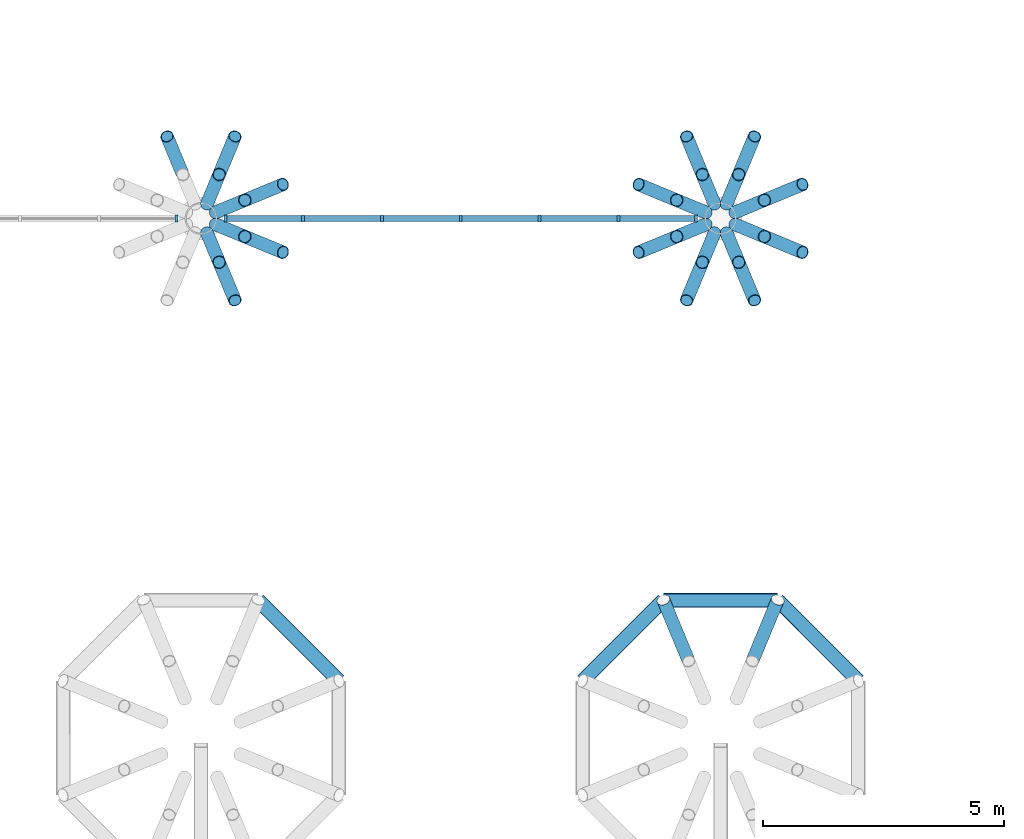
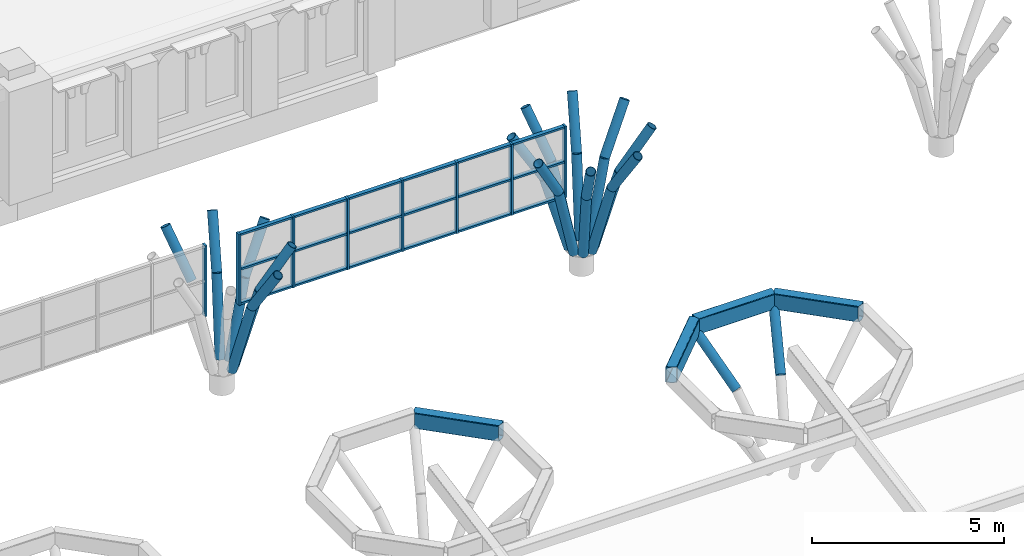
# One storey, part 10 of 42: 53 members, 4 beams, 2 elements without a shape of their own.
"""IFC4 building model written with IfcOpenShell, lengths in metres."""

from ifc_helpers import new_model, si_unit, direction, frame, origin, origin_2d, place, context, subcontext, project, spatial, rectangle, hollow_rectangle, hollow_circle, extrude, clip, halfspace, material, layer, layer_set, material_profile, profile_set, type_object, element, aggregate, save


model = new_model("IFC4")

# Units and contexts
model_context = context("Model", 3, precision=1e-05, world=origin(), true_north=direction((0.0, 1.0)))
body_context = subcontext(model_context, "Body", "Model", "MODEL_VIEW")
ifc_project = project(units=[si_unit("LENGTHUNIT", "METRE"), si_unit("AREAUNIT", "SQUARE_METRE"), si_unit("VOLUMEUNIT", "CUBIC_METRE"), si_unit("PLANEANGLEUNIT", "RADIAN"), si_unit("MASSUNIT", "GRAM", prefix="KILO")], contexts=[model_context])

# Site, building, storey
site_placement = place(None, origin())
site = spatial("IfcSite", under=ifc_project, at=site_placement, CompositionType="ELEMENT")
building_placement = place(site_placement, origin())
building = spatial("IfcBuilding", under=site, at=building_placement, Name="Magnolia Steps Interchange", CompositionType="ELEMENT")
storey_placement = place(building_placement, frame((0.0, 0.0, 12.60009765625)))
storey = spatial("IfcBuildingStorey", under=building, at=storey_placement, Name="L03", CompositionType="ELEMENT", Elevation=12.60009765625)

# Curtain wall, member
ifc_material_1 = material(Name="Powder-coated aluminium and glass", Category="aluminium")
ifc_layer = layer(ifc_material_1, 0.1201171875)
ifc_layer_set = layer_set([ifc_layer], Name="Hall clerestory curtain wall")
curtain_wall_type = type_object("IfcCurtainWallType", Name="Hall clerestory curtain wall", PredefinedType="NOTDEFINED", material=ifc_layer_set)
curtain_wall_1_placement = place(storey_placement, origin())
curtain_wall_1 = element("IfcCurtainWall", 1, at=curtain_wall_1_placement, inside=storey, type_object=curtain_wall_type, Name="Hall clerestory N4", PredefinedType="NOTDEFINED")
ifc_material_2 = material(Name="White powder-coated aluminium", Category="aluminium")
ifc_material_profile_1 = material_profile(ifc_material_2, rectangle(XDim=0.06005859375, YDim=0.14990234375, at=origin_2d()), Name="Aluminium mullion 60 x 150")
ifc_profile_set_1 = profile_set([ifc_material_profile_1], Name="White powder-coated aluminium")
member_type_1 = type_object("IfcMemberType", Name="Aluminium mullion 60 x 150", PredefinedType="MULLION", material=ifc_profile_set_1)
member_1_placement = place(storey_placement, frame((95.889892578125, 85.60009765625, 2.5), z_axis=(0.0, 0.0, 1.0), x_axis=(1.0, 0.0, 0.0)))
member_1 = element("IfcMember", 2, at=member_1_placement, type_object=member_type_1, Name="CW6 mullion 7", PredefinedType="MULLION", context=body_context, shape_type="SweptSolid", body=[
    extrude(rectangle(XDim=0.06005859375, YDim=0.14990234375, at=origin_2d()), origin(), (0.0, 0.0, 1.0), 2.251220703125),
])
aggregate(curtain_wall_1, [member_1])

# Curtain wall, members
curtain_wall_2_placement = place(storey_placement, origin())
curtain_wall_2 = element("IfcCurtainWall", 3, at=curtain_wall_2_placement, inside=storey, type_object=curtain_wall_type, Name="Hall clerestory N5", PredefinedType="NOTDEFINED")
member_2_placement = place(storey_placement, frame((96.909912109375, 85.60009765625, 2.5), z_axis=(0.0, 0.0, 1.0), x_axis=(1.0, 0.0, 0.0)))
member_2 = element("IfcMember", 4, at=member_2_placement, type_object=member_type_1, Name="CW6 mullion 1", PredefinedType="MULLION", context=body_context, shape_type="SweptSolid", body=[
    extrude(rectangle(XDim=0.06005859375, YDim=0.14990234375, at=origin_2d()), origin(), (0.0, 0.0, 1.0), 2.251220703125),
])
member_3_placement = place(storey_placement, frame((98.52001953125, 85.60009765625, 2.5), z_axis=(0.0, 0.0, 1.0), x_axis=(1.0, 0.0, 0.0)))
member_3 = element("IfcMember", 5, at=member_3_placement, type_object=member_type_1, Name="CW6 mullion 2", PredefinedType="MULLION", context=body_context, shape_type="SweptSolid", body=[
    extrude(rectangle(XDim=0.06005859375, YDim=0.14990234375, at=origin_2d()), origin(), (0.0, 0.0, 1.0), 2.251220703125),
])
member_4_placement = place(storey_placement, frame((100.159912109375, 85.60009765625, 2.5), z_axis=(0.0, 0.0, 1.0), x_axis=(1.0, 0.0, 0.0)))
member_4 = element("IfcMember", 6, at=member_4_placement, type_object=member_type_1, Name="CW6 mullion 3", PredefinedType="MULLION", context=body_context, shape_type="SweptSolid", body=[
    extrude(rectangle(XDim=0.06005859375, YDim=0.14990234375, at=origin_2d()), origin(), (0.0, 0.0, 1.0), 2.251220703125),
])
member_5_placement = place(storey_placement, frame((101.800048828125, 85.60009765625, 2.5), z_axis=(0.0, 0.0, 1.0), x_axis=(1.0, 0.0, 0.0)))
member_5 = element("IfcMember", 7, at=member_5_placement, type_object=member_type_1, Name="CW6 mullion 4", PredefinedType="MULLION", context=body_context, shape_type="SweptSolid", body=[
    extrude(rectangle(XDim=0.06005859375, YDim=0.14990234375, at=origin_2d()), origin(), (0.0, 0.0, 1.0), 2.251220703125),
])
member_6_placement = place(storey_placement, frame((103.43994140625, 85.60009765625, 2.5), z_axis=(0.0, 0.0, 1.0), x_axis=(1.0, 0.0, 0.0)))
member_6 = element("IfcMember", 8, at=member_6_placement, type_object=member_type_1, Name="CW6 mullion 5", PredefinedType="MULLION", context=body_context, shape_type="SweptSolid", body=[
    extrude(rectangle(XDim=0.06005859375, YDim=0.14990234375, at=origin_2d()), origin(), (0.0, 0.0, 1.0), 2.251220703125),
])
member_7_placement = place(storey_placement, frame((105.080078125, 85.60009765625, 2.5), z_axis=(0.0, 0.0, 1.0), x_axis=(1.0, 0.0, 0.0)))
member_7 = element("IfcMember", 9, at=member_7_placement, type_object=member_type_1, Name="CW6 mullion 6", PredefinedType="MULLION", context=body_context, shape_type="SweptSolid", body=[
    extrude(rectangle(XDim=0.06005859375, YDim=0.14990234375, at=origin_2d()), origin(), (0.0, 0.0, 1.0), 2.251220703125),
])
member_8_placement = place(storey_placement, frame((106.68994140625, 85.60009765625, 2.5), z_axis=(0.0, 0.0, 1.0), x_axis=(1.0, 0.0, 0.0)))
member_8 = element("IfcMember", 10, at=member_8_placement, type_object=member_type_1, Name="CW6 mullion 7", PredefinedType="MULLION", context=body_context, shape_type="SweptSolid", body=[
    extrude(rectangle(XDim=0.06005859375, YDim=0.14990234375, at=origin_2d()), origin(), (0.0, 0.0, 1.0), 2.251220703125),
])
ifc_material_3 = material(Name="White powder-coated aluminium", Category="aluminium")
ifc_material_profile_2 = material_profile(ifc_material_3, rectangle(XDim=0.06005859375, YDim=0.1201171875, at=origin_2d()), Name="Aluminium transom 60 x 120")
ifc_profile_set_2 = profile_set([ifc_material_profile_2], Name="White powder-coated aluminium")
member_type_2 = type_object("IfcMemberType", Name="Aluminium transom 60 x 120", PredefinedType="USERDEFINED", material=ifc_profile_set_2)
member_9_placement = place(storey_placement, frame((96.93994140625, 85.60009765625, 2.52978515625), z_axis=(1.0, 0.0, 0.0), x_axis=(0.0, 0.0, 1.0)))
member_9 = element("IfcMember", 11, at=member_9_placement, type_object=member_type_2, Name="CW6 transom 1.1", ObjectType="TRANSOM", PredefinedType="USERDEFINED", context=body_context, shape_type="SweptSolid", body=[
    extrude(rectangle(XDim=0.06005859375, YDim=0.1201171875, at=origin_2d()), origin(), (0.0, 0.0, 1.0), 1.550048828125),
])
member_10_placement = place(storey_placement, frame((96.93994140625, 85.60009765625, 3.62548828125), z_axis=(1.0, 0.0, 0.0), x_axis=(0.0, 0.0, 1.0)))
member_10 = element("IfcMember", 12, at=member_10_placement, type_object=member_type_2, Name="CW6 transom 1.2", ObjectType="TRANSOM", PredefinedType="USERDEFINED", context=body_context, shape_type="SweptSolid", body=[
    extrude(rectangle(XDim=0.06005859375, YDim=0.1201171875, at=origin_2d()), origin(), (0.0, 0.0, 1.0), 1.550048828125),
])
member_11_placement = place(storey_placement, frame((96.93994140625, 85.60009765625, 4.72119140625), z_axis=(1.0, 0.0, 0.0), x_axis=(0.0, 0.0, 1.0)))
member_11 = element("IfcMember", 13, at=member_11_placement, type_object=member_type_2, Name="CW6 transom 1.3", ObjectType="TRANSOM", PredefinedType="USERDEFINED", context=body_context, shape_type="SweptSolid", body=[
    extrude(rectangle(XDim=0.06005859375, YDim=0.1201171875, at=origin_2d()), origin(), (0.0, 0.0, 1.0), 1.550048828125),
])
member_12_placement = place(storey_placement, frame((98.550048828125, 85.60009765625, 2.52978515625), z_axis=(1.0, 0.0, 0.0), x_axis=(0.0, 0.0, 1.0)))
member_12 = element("IfcMember", 14, at=member_12_placement, type_object=member_type_2, Name="CW6 transom 2.1", ObjectType="TRANSOM", PredefinedType="USERDEFINED", context=body_context, shape_type="SweptSolid", body=[
    extrude(rectangle(XDim=0.06005859375, YDim=0.1201171875, at=origin_2d()), origin(), (0.0, 0.0, 1.0), 1.579833984375),
])
member_13_placement = place(storey_placement, frame((98.550048828125, 85.60009765625, 3.62548828125), z_axis=(1.0, 0.0, 0.0), x_axis=(0.0, 0.0, 1.0)))
member_13 = element("IfcMember", 15, at=member_13_placement, type_object=member_type_2, Name="CW6 transom 2.2", ObjectType="TRANSOM", PredefinedType="USERDEFINED", context=body_context, shape_type="SweptSolid", body=[
    extrude(rectangle(XDim=0.06005859375, YDim=0.1201171875, at=origin_2d()), origin(), (0.0, 0.0, 1.0), 1.579833984375),
])
member_14_placement = place(storey_placement, frame((98.550048828125, 85.60009765625, 4.72119140625), z_axis=(1.0, 0.0, 0.0), x_axis=(0.0, 0.0, 1.0)))
member_14 = element("IfcMember", 16, at=member_14_placement, type_object=member_type_2, Name="CW6 transom 2.3", ObjectType="TRANSOM", PredefinedType="USERDEFINED", context=body_context, shape_type="SweptSolid", body=[
    extrude(rectangle(XDim=0.06005859375, YDim=0.1201171875, at=origin_2d()), origin(), (0.0, 0.0, 1.0), 1.579833984375),
])
member_15_placement = place(storey_placement, frame((100.18994140625, 85.60009765625, 2.52978515625), z_axis=(1.0, 0.0, 0.0), x_axis=(0.0, 0.0, 1.0)))
member_15 = element("IfcMember", 17, at=member_15_placement, type_object=member_type_2, Name="CW6 transom 3.1", ObjectType="TRANSOM", PredefinedType="USERDEFINED", context=body_context, shape_type="SweptSolid", body=[
    extrude(rectangle(XDim=0.06005859375, YDim=0.1201171875, at=origin_2d()), origin(), (0.0, 0.0, 1.0), 1.580078125),
])
member_16_placement = place(storey_placement, frame((100.18994140625, 85.60009765625, 3.62548828125), z_axis=(1.0, 0.0, 0.0), x_axis=(0.0, 0.0, 1.0)))
member_16 = element("IfcMember", 18, at=member_16_placement, type_object=member_type_2, Name="CW6 transom 3.2", ObjectType="TRANSOM", PredefinedType="USERDEFINED", context=body_context, shape_type="SweptSolid", body=[
    extrude(rectangle(XDim=0.06005859375, YDim=0.1201171875, at=origin_2d()), origin(), (0.0, 0.0, 1.0), 1.580078125),
])
member_17_placement = place(storey_placement, frame((100.18994140625, 85.60009765625, 4.72119140625), z_axis=(1.0, 0.0, 0.0), x_axis=(0.0, 0.0, 1.0)))
member_17 = element("IfcMember", 19, at=member_17_placement, type_object=member_type_2, Name="CW6 transom 3.3", ObjectType="TRANSOM", PredefinedType="USERDEFINED", context=body_context, shape_type="SweptSolid", body=[
    extrude(rectangle(XDim=0.06005859375, YDim=0.1201171875, at=origin_2d()), origin(), (0.0, 0.0, 1.0), 1.580078125),
])
member_18_placement = place(storey_placement, frame((101.830078125, 85.60009765625, 2.52978515625), z_axis=(1.0, 0.0, 0.0), x_axis=(0.0, 0.0, 1.0)))
member_18 = element("IfcMember", 20, at=member_18_placement, type_object=member_type_2, Name="CW6 transom 4.1", ObjectType="TRANSOM", PredefinedType="USERDEFINED", context=body_context, shape_type="SweptSolid", body=[
    extrude(rectangle(XDim=0.06005859375, YDim=0.1201171875, at=origin_2d()), origin(), (0.0, 0.0, 1.0), 1.579833984375),
])
member_19_placement = place(storey_placement, frame((101.830078125, 85.60009765625, 3.62548828125), z_axis=(1.0, 0.0, 0.0), x_axis=(0.0, 0.0, 1.0)))
member_19 = element("IfcMember", 21, at=member_19_placement, type_object=member_type_2, Name="CW6 transom 4.2", ObjectType="TRANSOM", PredefinedType="USERDEFINED", context=body_context, shape_type="SweptSolid", body=[
    extrude(rectangle(XDim=0.06005859375, YDim=0.1201171875, at=origin_2d()), origin(), (0.0, 0.0, 1.0), 1.579833984375),
])
member_20_placement = place(storey_placement, frame((101.830078125, 85.60009765625, 4.72119140625), z_axis=(1.0, 0.0, 0.0), x_axis=(0.0, 0.0, 1.0)))
member_20 = element("IfcMember", 22, at=member_20_placement, type_object=member_type_2, Name="CW6 transom 4.3", ObjectType="TRANSOM", PredefinedType="USERDEFINED", context=body_context, shape_type="SweptSolid", body=[
    extrude(rectangle(XDim=0.06005859375, YDim=0.1201171875, at=origin_2d()), origin(), (0.0, 0.0, 1.0), 1.579833984375),
])
member_21_placement = place(storey_placement, frame((103.469970703125, 85.60009765625, 2.52978515625), z_axis=(1.0, 0.0, 0.0), x_axis=(0.0, 0.0, 1.0)))
member_21 = element("IfcMember", 23, at=member_21_placement, type_object=member_type_2, Name="CW6 transom 5.1", ObjectType="TRANSOM", PredefinedType="USERDEFINED", context=body_context, shape_type="SweptSolid", body=[
    extrude(rectangle(XDim=0.06005859375, YDim=0.1201171875, at=origin_2d()), origin(), (0.0, 0.0, 1.0), 1.580078125),
])
member_22_placement = place(storey_placement, frame((103.469970703125, 85.60009765625, 3.62548828125), z_axis=(1.0, 0.0, 0.0), x_axis=(0.0, 0.0, 1.0)))
member_22 = element("IfcMember", 24, at=member_22_placement, type_object=member_type_2, Name="CW6 transom 5.2", ObjectType="TRANSOM", PredefinedType="USERDEFINED", context=body_context, shape_type="SweptSolid", body=[
    extrude(rectangle(XDim=0.06005859375, YDim=0.1201171875, at=origin_2d()), origin(), (0.0, 0.0, 1.0), 1.580078125),
])
member_23_placement = place(storey_placement, frame((103.469970703125, 85.60009765625, 4.72119140625), z_axis=(1.0, 0.0, 0.0), x_axis=(0.0, 0.0, 1.0)))
member_23 = element("IfcMember", 25, at=member_23_placement, type_object=member_type_2, Name="CW6 transom 5.3", ObjectType="TRANSOM", PredefinedType="USERDEFINED", context=body_context, shape_type="SweptSolid", body=[
    extrude(rectangle(XDim=0.06005859375, YDim=0.1201171875, at=origin_2d()), origin(), (0.0, 0.0, 1.0), 1.580078125),
])
member_24_placement = place(storey_placement, frame((105.110107421875, 85.60009765625, 2.52978515625), z_axis=(1.0, 0.0, 0.0), x_axis=(0.0, 0.0, 1.0)))
member_24 = element("IfcMember", 26, at=member_24_placement, type_object=member_type_2, Name="CW6 transom 6.1", ObjectType="TRANSOM", PredefinedType="USERDEFINED", context=body_context, shape_type="SweptSolid", body=[
    extrude(rectangle(XDim=0.06005859375, YDim=0.1201171875, at=origin_2d()), origin(), (0.0, 0.0, 1.0), 1.5498046875),
])
member_25_placement = place(storey_placement, frame((105.110107421875, 85.60009765625, 3.62548828125), z_axis=(1.0, 0.0, 0.0), x_axis=(0.0, 0.0, 1.0)))
member_25 = element("IfcMember", 27, at=member_25_placement, type_object=member_type_2, Name="CW6 transom 6.2", ObjectType="TRANSOM", PredefinedType="USERDEFINED", context=body_context, shape_type="SweptSolid", body=[
    extrude(rectangle(XDim=0.06005859375, YDim=0.1201171875, at=origin_2d()), origin(), (0.0, 0.0, 1.0), 1.5498046875),
])
member_26_placement = place(storey_placement, frame((105.110107421875, 85.60009765625, 4.72119140625), z_axis=(1.0, 0.0, 0.0), x_axis=(0.0, 0.0, 1.0)))
member_26 = element("IfcMember", 28, at=member_26_placement, type_object=member_type_2, Name="CW6 transom 6.3", ObjectType="TRANSOM", PredefinedType="USERDEFINED", context=body_context, shape_type="SweptSolid", body=[
    extrude(rectangle(XDim=0.06005859375, YDim=0.1201171875, at=origin_2d()), origin(), (0.0, 0.0, 1.0), 1.5498046875),
])
aggregate(curtain_wall_2, [member_2, member_3, member_4, member_5, member_6, member_7, member_8, member_9, member_10, member_11, member_12, member_13, member_14, member_15, member_16, member_17, member_18, member_19, member_20, member_21, member_22, member_23, member_24, member_25, member_26])

# Beams
ifc_material_4 = material(Name="Steel Q355B", Category="steel")
ifc_material_profile_3 = material_profile(ifc_material_4, hollow_rectangle(XDim=0.300048828125, YDim=0.5, WallThickness=0.01611328125, InnerFilletRadius=0.01611328125, OuterFilletRadius=0.031982421875, at=origin_2d()), Name="RHS500x300x16")
ifc_profile_set_3 = profile_set([ifc_material_profile_3], Name="Steel Q355B")
beam_type = type_object("IfcBeamType", Name="Ring beam RHS500x300x16", PredefinedType="BEAM", material=ifc_profile_set_3)
for number, where, z_axis, x_axis, name in (
    (29, (99.263916015625, 75.986328125, 3.4755859375), (-0.707106781187, 0.707106781187, 0.0), (-0.707106781187, -0.707106781187, 0.0), "Ring beam TH05D"),
    (30, (110.06396484375, 75.986328125, 3.4755859375), (-0.707106781187, 0.707106781187, 0.0), (-0.707106781187, -0.707106781187, 0.0), "Ring beam TH06D"),
):
    element("IfcBeam", number, at=place(storey_placement, frame(where, z_axis=z_axis, x_axis=x_axis)), inside=storey, type_object=beam_type, Name=name, PredefinedType="BEAM", context=body_context, shape_type="Clipping", body=[
        clip(clip(extrude(hollow_rectangle(XDim=0.300048828125, YDim=0.5, WallThickness=0.01611328125, InnerFilletRadius=0.01611328125, OuterFilletRadius=0.031982421875, at=origin_2d()), origin(), (0.0, 0.0, 1.0), 2.37255859375), halfspace(frame((0.0, 0.0, 0.0), z_axis=(0.382683433, 0.0, -0.923879532), x_axis=(0.923879532, 0.0, 0.382683433)), False)), halfspace(frame((0.0, 0.0, 2.372674707), z_axis=(0.382683433, 0.0, 0.923879532), x_axis=(0.923879532, 0.0, -0.382683433)), False)),
    ])
beam_1_placement = place(storey_placement, frame((108.38623046875, 77.6640625, 3.4755859375), z_axis=(-1.0, 0.0, 0.0), x_axis=(0.0, -1.0, 0.0)))
element("IfcBeam", 31, at=beam_1_placement, inside=storey, type_object=beam_type, Name="Ring beam TH06D", PredefinedType="BEAM", context=body_context, shape_type="Clipping", body=[
    clip(clip(extrude(hollow_rectangle(XDim=0.300048828125, YDim=0.5, WallThickness=0.01611328125, InnerFilletRadius=0.01611328125, OuterFilletRadius=0.031982421875, at=origin_2d()), origin(), (0.0, 0.0, 1.0), 2.37255859375), halfspace(frame((0.0, 0.0, 0.0), z_axis=(0.382683432, 0.0, -0.923879533), x_axis=(0.923879533, 0.0, 0.382683432)), False)), halfspace(frame((0.0, 0.0, 2.372558594), z_axis=(0.382683432, 0.0, 0.923879533), x_axis=(0.923879533, 0.0, -0.382683432)), False)),
])
beam_2_placement = place(storey_placement, frame((106.013671875, 77.6640625, 3.4755859375), z_axis=(-0.707106781187, -0.707106781187, 0.0), x_axis=(0.707106781187, -0.707106781187, 0.0)))
element("IfcBeam", 32, at=beam_2_placement, inside=storey, type_object=beam_type, Name="Ring beam TH06D", PredefinedType="BEAM", context=body_context, shape_type="Clipping", body=[
    clip(clip(extrude(hollow_rectangle(XDim=0.300048828125, YDim=0.5, WallThickness=0.01611328125, InnerFilletRadius=0.01611328125, OuterFilletRadius=0.031982421875, at=origin_2d()), origin(), (0.0, 0.0, 1.0), 2.37255859375), halfspace(frame((0.0, 0.0, 0.0), z_axis=(0.382683433, 0.0, -0.923879532), x_axis=(0.923879532, 0.0, 0.382683433)), False)), halfspace(frame((0.0, 0.0, 2.372674707), z_axis=(0.382683433, 0.0, 0.923879532), x_axis=(0.923879532, 0.0, -0.382683433)), False)),
])

# Members
ifc_material_5 = material(Name="Steel Q355B", Category="steel")
ifc_material_profile_4 = material_profile(ifc_material_5, hollow_circle(Radius=0.136474609375, WallThickness=0.013916015625, at=origin_2d()), Name="CHS273x14")
ifc_profile_set_4 = profile_set([ifc_material_profile_4], Name="Steel Q355B")
member_type_3 = type_object("IfcMemberType", Name="Tree rib CHS273x14", PredefinedType="USERDEFINED", material=ifc_profile_set_4)
member_27_placement = place(storey_placement, frame((96.704833984375, 85.726318359375, 0.72119140625), z_axis=(0.254701340525, 0.105485476775, 0.961249208751), x_axis=(-0.382636144688, 0.923899118291, 0.0)))
element("IfcMember", 33, at=member_27_placement, inside=storey, type_object=member_type_3, Name="Tree rib TH05E", ObjectType="TREE RIB", PredefinedType="USERDEFINED", context=body_context, shape_type="SweptSolid", body=[
    extrude(hollow_circle(Radius=0.136474609375, WallThickness=0.013916015625, at=origin_2d()), origin(), (0.0, 0.0, 1.0), 2.3837890625),
])
member_28_placement = place(storey_placement, frame((97.31201171875, 85.977783203125, 3.0126953125), z_axis=(0.489571014481, 0.202820124805, 0.848047297475), x_axis=(-0.382736860682, 0.923857399968, 0.0)))
element("IfcMember", 34, at=member_28_placement, inside=storey, type_object=member_type_3, Name="Tree rib TH05E", ObjectType="TREE RIB", PredefinedType="USERDEFINED", context=body_context, shape_type="SweptSolid", body=[
    extrude(hollow_circle(Radius=0.136474609375, WallThickness=0.013916015625, at=origin_2d()), origin(), (0.0, 0.0, 1.0), 1.6201171875),
])
member_29_placement = place(storey_placement, frame((96.5263671875, 85.90478515625, 0.72119140625), z_axis=(0.10538420162, 0.254704090796, 0.961259588343), x_axis=(-0.924030411119, 0.382318975891, 0.0)))
element("IfcMember", 35, at=member_29_placement, inside=storey, type_object=member_type_3, Name="Tree rib TH05E", ObjectType="TREE RIB", PredefinedType="USERDEFINED", context=body_context, shape_type="SweptSolid", body=[
    extrude(hollow_circle(Radius=0.136474609375, WallThickness=0.013916015625, at=origin_2d()), origin(), (0.0, 0.0, 1.0), 2.3837890625),
])
for number, where, z_axis, x_axis, name in (
    (36, (96.777587890625, 86.511962890625, 3.0126953125), (0.202820124805, 0.489571014481, 0.848047297475), (-0.923857399968, 0.382736860682, 0.0), "Tree rib TH05E"),
    (37, (96.022216796875, 86.511962890625, 3.0126953125), (-0.202820124805, 0.489571014481, 0.848047297475), (-0.923857399968, -0.382736860682, 0.0), "Tree rib TH05E"),
):
    element("IfcMember", number, at=place(storey_placement, frame(where, z_axis=z_axis, x_axis=x_axis)), inside=storey, type_object=member_type_3, Name=name, ObjectType="TREE RIB", PredefinedType="USERDEFINED", context=body_context, shape_type="SweptSolid", body=[
        extrude(hollow_circle(Radius=0.136474609375, WallThickness=0.013916015625, at=origin_2d()), origin(), (0.0, 0.0, 1.0), 1.6201171875),
    ])
member_30_placement = place(storey_placement, frame((96.5263671875, 85.295166015625, 0.72119140625), z_axis=(0.10538420162, -0.254704090796, 0.961259588343), x_axis=(0.924030411119, 0.382318975891, 0.0)))
element("IfcMember", 38, at=member_30_placement, inside=storey, type_object=member_type_3, Name="Tree rib TH05E", ObjectType="TREE RIB", PredefinedType="USERDEFINED", context=body_context, shape_type="SweptSolid", body=[
    extrude(hollow_circle(Radius=0.136474609375, WallThickness=0.013916015625, at=origin_2d()), origin(), (0.0, 0.0, 1.0), 2.3837890625),
])
member_31_placement = place(storey_placement, frame((96.777587890625, 84.68798828125, 3.0126953125), z_axis=(0.202820124805, -0.489571014481, 0.848047297475), x_axis=(0.923857399968, 0.382736860682, 0.0)))
element("IfcMember", 39, at=member_31_placement, inside=storey, type_object=member_type_3, Name="Tree rib TH05E", ObjectType="TREE RIB", PredefinedType="USERDEFINED", context=body_context, shape_type="SweptSolid", body=[
    extrude(hollow_circle(Radius=0.136474609375, WallThickness=0.013916015625, at=origin_2d()), origin(), (0.0, 0.0, 1.0), 1.6201171875),
])
member_32_placement = place(storey_placement, frame((96.704833984375, 85.4736328125, 0.72119140625), z_axis=(0.254704090796, -0.10538420162, 0.961259588343), x_axis=(0.382318975891, 0.924030411119, 0.0)))
element("IfcMember", 40, at=member_32_placement, inside=storey, type_object=member_type_3, Name="Tree rib TH05E", ObjectType="TREE RIB", PredefinedType="USERDEFINED", context=body_context, shape_type="SweptSolid", body=[
    extrude(hollow_circle(Radius=0.136474609375, WallThickness=0.013916015625, at=origin_2d()), origin(), (0.0, 0.0, 1.0), 2.3837890625),
])
member_33_placement = place(storey_placement, frame((97.31201171875, 85.222412109375, 3.0126953125), z_axis=(0.489571014481, -0.202820124805, 0.848047297475), x_axis=(0.382736860682, 0.923857399968, 0.0)))
element("IfcMember", 41, at=member_33_placement, inside=storey, type_object=member_type_3, Name="Tree rib TH05E", ObjectType="TREE RIB", PredefinedType="USERDEFINED", context=body_context, shape_type="SweptSolid", body=[
    extrude(hollow_circle(Radius=0.136474609375, WallThickness=0.013916015625, at=origin_2d()), origin(), (0.0, 0.0, 1.0), 1.6201171875),
])
member_34_placement = place(storey_placement, frame((107.861328125, 76.396484375, 2.00048828125), z_axis=(0.275207808016, 0.664594855451, 0.694675708885), x_axis=(-0.923917076656, 0.382592780202, 0.0)))
element("IfcMember", 42, at=member_34_placement, inside=storey, type_object=member_type_3, Name="Tree rib TH06D", ObjectType="TREE RIB", PredefinedType="USERDEFINED", context=body_context, shape_type="SweptSolid", body=[
    extrude(hollow_circle(Radius=0.136474609375, WallThickness=0.013916015625, at=origin_2d()), origin(), (0.0, 0.0, 1.0), 1.9072265625),
])
member_35_placement = place(storey_placement, frame((106.538818359375, 76.396484375, 2.00048828125), z_axis=(-0.275326110485, 0.664571439163, 0.694651232731), x_axis=(-0.923854165929, -0.382744666971, 0.0)))
element("IfcMember", 43, at=member_35_placement, inside=storey, type_object=member_type_3, Name="Tree rib TH06D", ObjectType="TREE RIB", PredefinedType="USERDEFINED", context=body_context, shape_type="SweptSolid", body=[
    extrude(hollow_circle(Radius=0.136474609375, WallThickness=0.013916015625, at=origin_2d()), origin(), (0.0, 0.0, 1.0), 1.907470703125),
])
member_36_placement = place(storey_placement, frame((107.5048828125, 85.726318359375, 0.72119140625), z_axis=(0.254701340525, 0.105485476775, 0.961249208751), x_axis=(-0.382636144688, 0.923899118291, 0.0)))
element("IfcMember", 44, at=member_36_placement, inside=storey, type_object=member_type_3, Name="Tree rib TH06E", ObjectType="TREE RIB", PredefinedType="USERDEFINED", context=body_context, shape_type="SweptSolid", body=[
    extrude(hollow_circle(Radius=0.136474609375, WallThickness=0.013916015625, at=origin_2d()), origin(), (0.0, 0.0, 1.0), 2.3837890625),
])
member_37_placement = place(storey_placement, frame((108.112060546875, 85.977783203125, 3.0126953125), z_axis=(0.489571014481, 0.202820124805, 0.848047297475), x_axis=(-0.382736860682, 0.923857399968, 0.0)))
element("IfcMember", 45, at=member_37_placement, inside=storey, type_object=member_type_3, Name="Tree rib TH06E", ObjectType="TREE RIB", PredefinedType="USERDEFINED", context=body_context, shape_type="SweptSolid", body=[
    extrude(hollow_circle(Radius=0.136474609375, WallThickness=0.013916015625, at=origin_2d()), origin(), (0.0, 0.0, 1.0), 1.6201171875),
])
member_38_placement = place(storey_placement, frame((107.326416015625, 85.90478515625, 0.72119140625), z_axis=(0.10538420162, 0.254704090796, 0.961259588343), x_axis=(-0.924030411119, 0.382318975891, 0.0)))
element("IfcMember", 46, at=member_38_placement, inside=storey, type_object=member_type_3, Name="Tree rib TH06E", ObjectType="TREE RIB", PredefinedType="USERDEFINED", context=body_context, shape_type="SweptSolid", body=[
    extrude(hollow_circle(Radius=0.136474609375, WallThickness=0.013916015625, at=origin_2d()), origin(), (0.0, 0.0, 1.0), 2.3837890625),
])
member_39_placement = place(storey_placement, frame((107.57763671875, 86.511962890625, 3.0126953125), z_axis=(0.202820124805, 0.489571014481, 0.848047297475), x_axis=(-0.923857399968, 0.382736860682, 0.0)))
element("IfcMember", 47, at=member_39_placement, inside=storey, type_object=member_type_3, Name="Tree rib TH06E", ObjectType="TREE RIB", PredefinedType="USERDEFINED", context=body_context, shape_type="SweptSolid", body=[
    extrude(hollow_circle(Radius=0.136474609375, WallThickness=0.013916015625, at=origin_2d()), origin(), (0.0, 0.0, 1.0), 1.6201171875),
])
member_40_placement = place(storey_placement, frame((107.07373046875, 85.90478515625, 0.72119140625), z_axis=(-0.105485476775, 0.254701340525, 0.961249208751), x_axis=(-0.923899118291, -0.382636144688, 0.0)))
element("IfcMember", 48, at=member_40_placement, inside=storey, type_object=member_type_3, Name="Tree rib TH06E", ObjectType="TREE RIB", PredefinedType="USERDEFINED", context=body_context, shape_type="SweptSolid", body=[
    extrude(hollow_circle(Radius=0.136474609375, WallThickness=0.013916015625, at=origin_2d()), origin(), (0.0, 0.0, 1.0), 2.3837890625),
])
member_41_placement = place(storey_placement, frame((106.822265625, 86.511962890625, 3.0126953125), z_axis=(-0.202820124805, 0.489571014481, 0.848047297475), x_axis=(-0.923857399968, -0.382736860682, 0.0)))
element("IfcMember", 49, at=member_41_placement, inside=storey, type_object=member_type_3, Name="Tree rib TH06E", ObjectType="TREE RIB", PredefinedType="USERDEFINED", context=body_context, shape_type="SweptSolid", body=[
    extrude(hollow_circle(Radius=0.136474609375, WallThickness=0.013916015625, at=origin_2d()), origin(), (0.0, 0.0, 1.0), 1.6201171875),
])
member_42_placement = place(storey_placement, frame((106.89501953125, 85.726318359375, 0.72119140625), z_axis=(-0.254605567514, 0.105488227892, 0.961274278636), x_axis=(-0.382767514508, -0.923844700065, 0.0)))
element("IfcMember", 50, at=member_42_placement, inside=storey, type_object=member_type_3, Name="Tree rib TH06E", ObjectType="TREE RIB", PredefinedType="USERDEFINED", context=body_context, shape_type="SweptSolid", body=[
    extrude(hollow_circle(Radius=0.136474609375, WallThickness=0.013916015625, at=origin_2d()), origin(), (0.0, 0.0, 1.0), 2.3837890625),
])
member_43_placement = place(storey_placement, frame((106.2880859375, 85.977783203125, 3.0126953125), z_axis=(-0.489571014481, 0.202820124805, 0.848047297475), x_axis=(-0.382736860682, -0.923857399968, 0.0)))
element("IfcMember", 51, at=member_43_placement, inside=storey, type_object=member_type_3, Name="Tree rib TH06E", ObjectType="TREE RIB", PredefinedType="USERDEFINED", context=body_context, shape_type="SweptSolid", body=[
    extrude(hollow_circle(Radius=0.136474609375, WallThickness=0.013916015625, at=origin_2d()), origin(), (0.0, 0.0, 1.0), 1.6201171875),
])
member_44_placement = place(storey_placement, frame((106.89501953125, 85.4736328125, 0.72119140625), z_axis=(-0.254608316895, -0.105386950155, 0.96128465904), x_axis=(0.382450274146, -0.923976075343, 0.0)))
element("IfcMember", 52, at=member_44_placement, inside=storey, type_object=member_type_3, Name="Tree rib TH06E", ObjectType="TREE RIB", PredefinedType="USERDEFINED", context=body_context, shape_type="SweptSolid", body=[
    extrude(hollow_circle(Radius=0.136474609375, WallThickness=0.013916015625, at=origin_2d()), origin(), (0.0, 0.0, 1.0), 2.3837890625),
])
member_45_placement = place(storey_placement, frame((106.2880859375, 85.222412109375, 3.0126953125), z_axis=(-0.489571014481, -0.202820124805, 0.848047297475), x_axis=(0.382736860682, -0.923857399968, 0.0)))
element("IfcMember", 53, at=member_45_placement, inside=storey, type_object=member_type_3, Name="Tree rib TH06E", ObjectType="TREE RIB", PredefinedType="USERDEFINED", context=body_context, shape_type="SweptSolid", body=[
    extrude(hollow_circle(Radius=0.136474609375, WallThickness=0.013916015625, at=origin_2d()), origin(), (0.0, 0.0, 1.0), 1.6201171875),
])
member_46_placement = place(storey_placement, frame((107.07373046875, 85.295166015625, 0.72119140625), z_axis=(-0.105485476775, -0.254701340525, 0.961249208751), x_axis=(0.923899118291, -0.382636144688, 0.0)))
element("IfcMember", 54, at=member_46_placement, inside=storey, type_object=member_type_3, Name="Tree rib TH06E", ObjectType="TREE RIB", PredefinedType="USERDEFINED", context=body_context, shape_type="SweptSolid", body=[
    extrude(hollow_circle(Radius=0.136474609375, WallThickness=0.013916015625, at=origin_2d()), origin(), (0.0, 0.0, 1.0), 2.3837890625),
])
member_47_placement = place(storey_placement, frame((106.822265625, 84.68798828125, 3.0126953125), z_axis=(-0.202820124805, -0.489571014481, 0.848047297475), x_axis=(0.923857399968, -0.382736860682, 0.0)))
element("IfcMember", 55, at=member_47_placement, inside=storey, type_object=member_type_3, Name="Tree rib TH06E", ObjectType="TREE RIB", PredefinedType="USERDEFINED", context=body_context, shape_type="SweptSolid", body=[
    extrude(hollow_circle(Radius=0.136474609375, WallThickness=0.013916015625, at=origin_2d()), origin(), (0.0, 0.0, 1.0), 1.6201171875),
])
member_48_placement = place(storey_placement, frame((107.326416015625, 85.295166015625, 0.72119140625), z_axis=(0.10538420162, -0.254704090796, 0.961259588343), x_axis=(0.924030411119, 0.382318975891, 0.0)))
element("IfcMember", 56, at=member_48_placement, inside=storey, type_object=member_type_3, Name="Tree rib TH06E", ObjectType="TREE RIB", PredefinedType="USERDEFINED", context=body_context, shape_type="SweptSolid", body=[
    extrude(hollow_circle(Radius=0.136474609375, WallThickness=0.013916015625, at=origin_2d()), origin(), (0.0, 0.0, 1.0), 2.3837890625),
])
member_49_placement = place(storey_placement, frame((107.57763671875, 84.68798828125, 3.0126953125), z_axis=(0.202820124805, -0.489571014481, 0.848047297475), x_axis=(0.923857399968, 0.382736860682, 0.0)))
element("IfcMember", 57, at=member_49_placement, inside=storey, type_object=member_type_3, Name="Tree rib TH06E", ObjectType="TREE RIB", PredefinedType="USERDEFINED", context=body_context, shape_type="SweptSolid", body=[
    extrude(hollow_circle(Radius=0.136474609375, WallThickness=0.013916015625, at=origin_2d()), origin(), (0.0, 0.0, 1.0), 1.6201171875),
])
member_50_placement = place(storey_placement, frame((107.5048828125, 85.4736328125, 0.72119140625), z_axis=(0.254704090796, -0.10538420162, 0.961259588343), x_axis=(0.382318975891, 0.924030411119, 0.0)))
element("IfcMember", 58, at=member_50_placement, inside=storey, type_object=member_type_3, Name="Tree rib TH06E", ObjectType="TREE RIB", PredefinedType="USERDEFINED", context=body_context, shape_type="SweptSolid", body=[
    extrude(hollow_circle(Radius=0.136474609375, WallThickness=0.013916015625, at=origin_2d()), origin(), (0.0, 0.0, 1.0), 2.3837890625),
])
member_51_placement = place(storey_placement, frame((108.112060546875, 85.222412109375, 3.0126953125), z_axis=(0.489571014481, -0.202820124805, 0.848047297475), x_axis=(0.382736860682, 0.923857399968, 0.0)))
element("IfcMember", 59, at=member_51_placement, inside=storey, type_object=member_type_3, Name="Tree rib TH06E", ObjectType="TREE RIB", PredefinedType="USERDEFINED", context=body_context, shape_type="SweptSolid", body=[
    extrude(hollow_circle(Radius=0.136474609375, WallThickness=0.013916015625, at=origin_2d()), origin(), (0.0, 0.0, 1.0), 1.6201171875),
])

save(model, "model.ifc")
